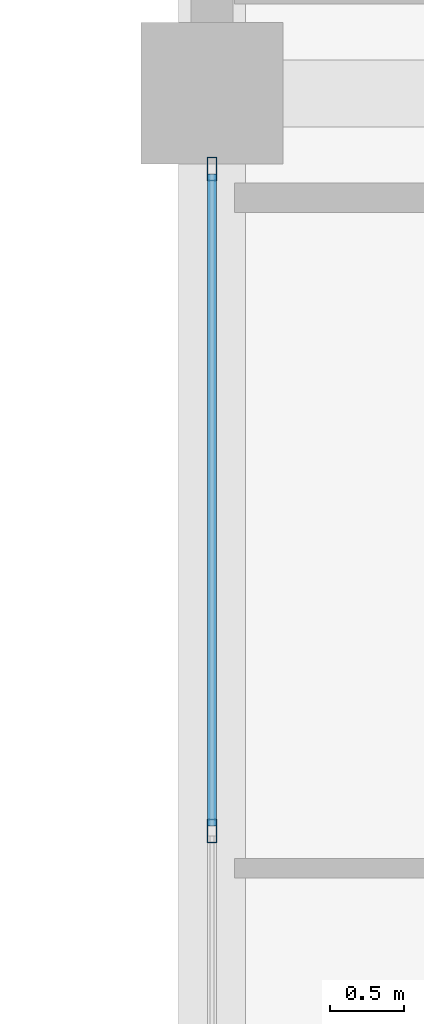
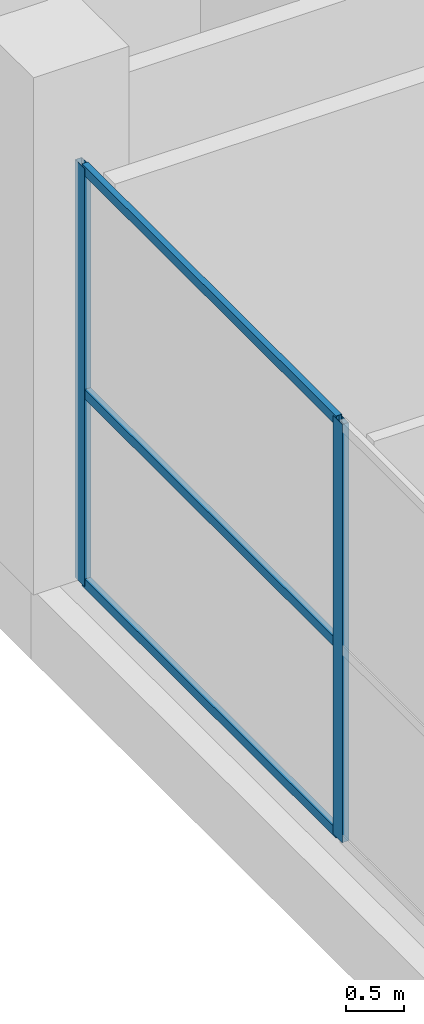
# One storey, part 12 of 50: 5 members, 1 element without a shape of its own.
"""IFC4 building model written with IfcOpenShell, lengths in metres."""

from ifc_helpers import new_model, si_unit, direction, frame, origin, origin_2d, place, context, subcontext, project, spatial, hollow_rectangle, extrude, material, layer, layer_set, material_profile, profile_set, type_object, element, aggregate, save


model = new_model("IFC4")

# Units and contexts
model_context = context("Model", 3, precision=1e-05, world=origin(), true_north=direction((0.0, 1.0)))
body_context = subcontext(model_context, "Body", "Model", "MODEL_VIEW")
ifc_project = project(units=[si_unit("LENGTHUNIT", "METRE"), si_unit("AREAUNIT", "SQUARE_METRE"), si_unit("VOLUMEUNIT", "CUBIC_METRE"), si_unit("PLANEANGLEUNIT", "RADIAN"), si_unit("MASSUNIT", "GRAM", prefix="KILO")], contexts=[model_context])

# Site, building, storey
site_placement = place(None, origin())
site = spatial("IfcSite", under=ifc_project, at=site_placement, CompositionType="ELEMENT")
building_placement = place(site_placement, origin())
building = spatial("IfcBuilding", under=site, at=building_placement, Name="Sillaruma Civic Art Gallery", CompositionType="ELEMENT")
storey_placement = place(building_placement, origin())
storey = spatial("IfcBuildingStorey", under=building, at=storey_placement, Name="L00", CompositionType="ELEMENT", Elevation=0.0)

# Curtain wall, members
ifc_material = material(Name="Thermally Broken Extruded Aluminium 6063-T6", Category="aluminium")
ifc_layer = layer(ifc_material, 0.159912109375, Name="Thermally Broken Extruded Aluminium 6063-T6")
ifc_layer_set = layer_set([ifc_layer], Name="Thermally Broken Extruded Aluminium 6063-T6")
curtain_wall_type = type_object("IfcCurtainWallType", Name="CW-UNI-04", PredefinedType="NOTDEFINED", material=ifc_layer_set)
curtain_wall_placement = place(storey_placement, origin())
curtain_wall = element("IfcCurtainWall", 1, at=curtain_wall_placement, inside=storey, type_object=curtain_wall_type, Name="Unitised Curtain Wall CW-04 (CW-L00-SPW-5)", PredefinedType="NOTDEFINED")
ifc_material_profile_1 = material_profile(ifc_material, hollow_rectangle(XDim=0.06494140625, YDim=0.159912109375, WallThickness=0.00390625, at=origin_2d()), Name="CWM65x160")
ifc_profile_set_1 = profile_set([ifc_material_profile_1], Name="Thermally Broken Extruded Aluminium 6063-T6")
member_type_1 = type_object("IfcMemberType", Name="MEM-MUL-CWM65x160", PredefinedType="MULLION", material=ifc_profile_set_1)
member_1_placement = place(storey_placement, frame((62.0, 64.35009765625, 0.0), z_axis=(0.0, 0.0, 1.0), x_axis=(-1.0, 0.0, 0.0)))
member_1 = element("IfcMember", 2, at=member_1_placement, type_object=member_type_1, Name="CW-04 mullion 2", PredefinedType="MULLION", context=body_context, shape_type="SweptSolid", body=[
    extrude(hollow_rectangle(XDim=0.06494140625, YDim=0.159912109375, WallThickness=0.00390625, at=origin_2d()), origin(), (0.0, 0.0, 1.0), 4.39990234375),
])
member_2_placement = place(storey_placement, frame((62.0, 68.79248046875, 0.0), z_axis=(0.0, 0.0, 1.0), x_axis=(-1.0, 0.0, 0.0)))
member_2 = element("IfcMember", 3, at=member_2_placement, type_object=member_type_1, Name="CW-04 mullion 3", PredefinedType="MULLION", context=body_context, shape_type="SweptSolid", body=[
    extrude(hollow_rectangle(XDim=0.06494140625, YDim=0.159912109375, WallThickness=0.00390625, at=origin_2d()), origin(), (0.0, 0.0, 1.0), 4.39990234375),
])
ifc_material_profile_2 = material_profile(ifc_material, hollow_rectangle(XDim=0.06005859375, YDim=0.10009765625, WallThickness=0.003173828125, at=origin_2d()), Name="CWT60x100")
ifc_profile_set_2 = profile_set([ifc_material_profile_2], Name="Thermally Broken Extruded Aluminium 6063-T6")
member_type_2 = type_object("IfcMemberType", Name="MEM-TRN-CWT60x100", PredefinedType="USERDEFINED", material=ifc_profile_set_2)
member_3_placement = place(storey_placement, frame((62.0, 64.382568359375, 0.030029296875), z_axis=(0.0, 1.0, 0.0), x_axis=(-1.0, 0.0, 0.0)))
member_3 = element("IfcMember", 4, at=member_3_placement, type_object=member_type_2, Name="CW-04 transom 2.1", ObjectType="TRANSOM", PredefinedType="USERDEFINED", context=body_context, shape_type="SweptSolid", body=[
    extrude(hollow_rectangle(XDim=0.06005859375, YDim=0.10009765625, WallThickness=0.003173828125, at=origin_2d()), origin(), (0.0, 0.0, 1.0), 4.37744140625),
])
member_4_placement = place(storey_placement, frame((62.0, 64.382568359375, 2.02392578125), z_axis=(0.0, 1.0, 0.0), x_axis=(-1.0, 0.0, 0.0)))
member_4 = element("IfcMember", 5, at=member_4_placement, type_object=member_type_2, Name="CW-04 transom 2.2", ObjectType="TRANSOM", PredefinedType="USERDEFINED", context=body_context, shape_type="SweptSolid", body=[
    extrude(hollow_rectangle(XDim=0.06005859375, YDim=0.10009765625, WallThickness=0.003173828125, at=origin_2d()), origin(), (0.0, 0.0, 1.0), 4.37744140625),
])
member_5_placement = place(storey_placement, frame((62.0, 64.382568359375, 4.3701171875), z_axis=(0.0, 1.0, 0.0), x_axis=(-1.0, 0.0, 0.0)))
member_5 = element("IfcMember", 6, at=member_5_placement, type_object=member_type_2, Name="CW-04 transom 2.3", ObjectType="TRANSOM", PredefinedType="USERDEFINED", context=body_context, shape_type="SweptSolid", body=[
    extrude(hollow_rectangle(XDim=0.06005859375, YDim=0.10009765625, WallThickness=0.003173828125, at=origin_2d()), origin(), (0.0, 0.0, 1.0), 4.37744140625),
])
aggregate(curtain_wall, [member_1, member_2, member_3, member_4, member_5])

save(model, "model.ifc")
